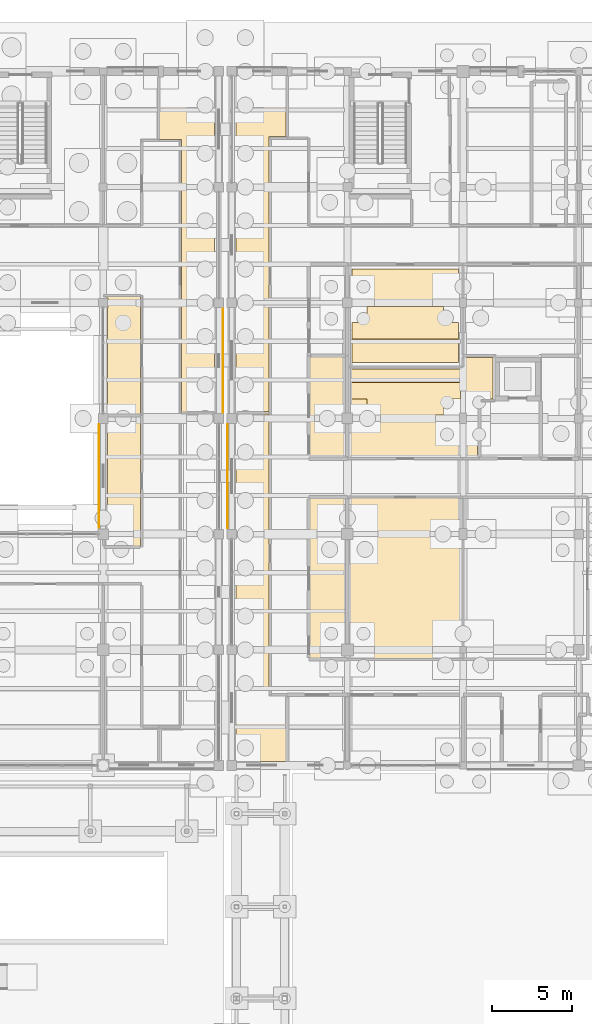
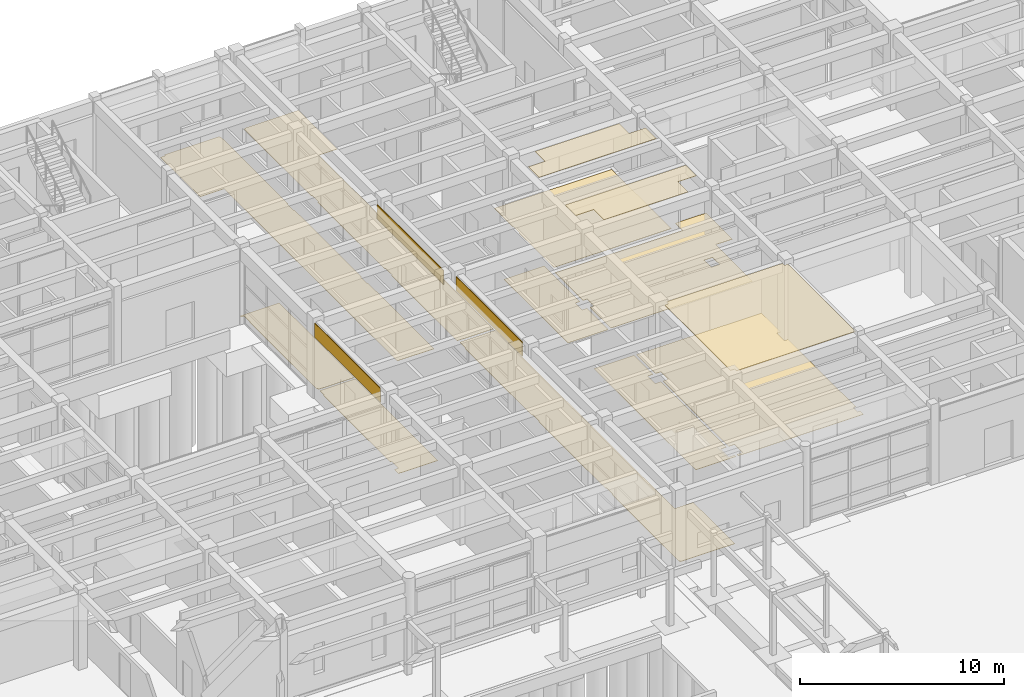
# One storey, part 136 of 143: 16 coverings.
"""IFC4 building model written with IfcOpenShell, lengths in metres."""

from ifc_helpers import new_model, si_unit, direction, frame, origin, origin_2d, place, context, subcontext, project, spatial, polyline, rectangle, outline, extrude, material, layer, layer_set, type_object, element, save


model = new_model("IFC4")

# Units and contexts
model_context = context("Model", 3, precision=1e-05, world=origin(), true_north=direction((0.0, 1.0)))
body_context = subcontext(model_context, "Body", "Model", "MODEL_VIEW")
ifc_project = project(units=[si_unit("LENGTHUNIT", "METRE"), si_unit("AREAUNIT", "SQUARE_METRE"), si_unit("VOLUMEUNIT", "CUBIC_METRE"), si_unit("PLANEANGLEUNIT", "RADIAN"), si_unit("MASSUNIT", "GRAM", prefix="KILO")], contexts=[model_context])

# Site, building, storey
site_placement = place(None, origin())
site = spatial("IfcSite", under=ifc_project, at=site_placement, CompositionType="ELEMENT")
building_placement = place(site_placement, origin())
building = spatial("IfcBuilding", under=site, at=building_placement, Name="Steenspoor Specialist Clinic", CompositionType="ELEMENT")
storey_placement = place(building_placement, origin())
storey = spatial("IfcBuildingStorey", under=building, at=storey_placement, Name="L00", CompositionType="ELEMENT", Elevation=0.0)

# Coverings
ifc_material_1 = material(Name="Washable acoustic mineral ceiling board", Category="gypsum")
ifc_layer_1 = layer(ifc_material_1, 0.02490234375)
ifc_layer_set_1 = layer_set([ifc_layer_1], Name="Washable acoustic mineral ceiling board")
covering_type_1 = type_object("IfcCoveringType", Name="COV-CEIL-ACOUSTIC", PredefinedType="CEILING", material=ifc_layer_set_1)
covering_1_placement = place(storey_placement, frame((0.0, 0.0, 4.4951171875)))
element("IfcCovering", 1, at=covering_1_placement, inside=storey, type_object=covering_type_1, Name="Acoustic Clinical Ceiling 085", PredefinedType="CEILING", context=body_context, shape_type="SweptSolid", body=[
    extrude(outline(polyline([(132.3349609375, 72.56494140625), (132.205078125, 72.56494140625), (132.205078125, 72.570068359375), (125.590087890625, 72.570068359375), (125.590087890625, 72.739990234375), (125.3701171875, 72.739990234375), (125.3701171875, 79.18505859375), (125.56494140625, 79.18505859375), (125.56494140625, 79.3798828125), (132.135009765625, 79.3798828125), (132.135009765625, 79.18505859375), (132.3349609375, 79.18505859375), (132.3349609375, 72.56494140625)])), origin(), (0.0, 0.0, 1.0), 0.02490234375),
])
covering_2_placement = place(storey_placement, frame((0.0, 0.0, 4.4951171875)))
element("IfcCovering", 2, at=covering_2_placement, inside=storey, type_object=covering_type_1, Name="Acoustic Clinical Ceiling 087", PredefinedType="CEILING", context=body_context, shape_type="SweptSolid", body=[
    extrude(outline(polyline([(132.22998046875, 87.969970703125), (131.179931640625, 87.969970703125), (131.179931640625, 86.969970703125), (126.419921875, 86.969970703125), (126.419921875, 87.969970703125), (125.419921875, 87.969970703125), (125.419921875, 89.0), (132.22998046875, 89.0), (132.22998046875, 87.969970703125)])), origin(), (0.0, 0.0, 1.0), 0.02490234375),
])
covering_3_placement = place(storey_placement, frame((0.0, 0.0, 4.4951171875)))
element("IfcCovering", 3, at=covering_3_placement, inside=storey, type_object=covering_type_1, Name="Acoustic Clinical Ceiling 093", PredefinedType="CEILING", context=body_context, shape_type="SweptSolid", body=[
    extrude(outline(polyline([(125.485107421875, 92.72998046875), (126.419921875, 92.72998046875), (126.419921875, 93.705078125), (131.179931640625, 93.705078125), (131.179931640625, 92.72998046875), (132.114990234375, 92.72998046875), (132.114990234375, 91.68994140625), (125.485107421875, 91.68994140625), (125.485107421875, 92.72998046875)])), origin(), (0.0, 0.0, 1.0), 0.02490234375),
])
ifc_material_2 = material(Name="Glazed ceramic relief spandrel cladding", Category="masonry")
ifc_layer_2 = layer(ifc_material_2, 0.034912109375)
ifc_layer_set_2 = layer_set([ifc_layer_2], Name="Glazed ceramic relief spandrel cladding")
covering_type_2 = type_object("IfcCoveringType", Name="COV-CLAD-CERAMIC", PredefinedType="CLADDING", material=ifc_layer_set_2)
covering_4_placement = place(storey_placement, frame((117.449951171875, 90.35009765625, 3.71484375), z_axis=(0.0, 0.0, 1.0), x_axis=(0.0, -1.0, 0.0)))
element("IfcCovering", 4, at=covering_4_placement, inside=storey, type_object=covering_type_2, Name="Spandrel Cladding 27", PredefinedType="CLADDING", context=body_context, shape_type="SweptSolid", body=[
    extrude(rectangle(XDim=6.47998046875, YDim=0.0400390625, at=origin_2d()), origin(), (0.0, 0.0, 1.0), 0.840087890625),
])
covering_5_placement = place(storey_placement, frame((109.75, 83.16259765625, 3.71484375), z_axis=(0.0, 0.0, 1.0), x_axis=(0.0, 1.0, 0.0)))
element("IfcCovering", 5, at=covering_5_placement, inside=storey, type_object=covering_type_2, Name="Spandrel Cladding 29", PredefinedType="CLADDING", context=body_context, shape_type="SweptSolid", body=[
    extrude(rectangle(XDim=6.455078125, YDim=0.0400390625, at=origin_2d()), origin(), (0.0, 0.0, 1.0), 0.840087890625),
])
covering_6_placement = place(storey_placement, frame((117.75, 83.14990234375, 3.68505859375), z_axis=(0.0, 0.0, 1.0), x_axis=(0.0, 1.0, 0.0)))
element("IfcCovering", 6, at=covering_6_placement, inside=storey, type_object=covering_type_2, Name="Spandrel Cladding 80", PredefinedType="CLADDING", context=body_context, shape_type="SweptSolid", body=[
    extrude(rectangle(XDim=6.47998046875, YDim=0.0400390625, at=origin_2d()), origin(), (0.0, 0.0, 1.0), 0.840087890625),
])
ifc_material_3 = material(Name="Seamless clinical vinyl and terrazzo flooring", Category="plastic")
ifc_layer_3 = layer(ifc_material_3, 0.02001953125)
ifc_layer_set_3 = layer_set([ifc_layer_3], Name="Seamless clinical vinyl and terrazzo flooring")
covering_type_3 = type_object("IfcCoveringType", Name="COV-FLOOR-VINYL", PredefinedType="FLOORING", material=ifc_layer_set_3)
covering_7_placement = place(storey_placement, origin())
element("IfcCovering", 7, at=covering_7_placement, inside=storey, type_object=covering_type_3, Name="Clinical Vinyl Flooring 93", PredefinedType="FLOORING", context=body_context, shape_type="SweptSolid", body=[
    extrude(outline(polyline([(112.3349609375, 78.81494140625), (110.10498046875, 78.81494140625), (110.10498046875, 79.2099609375), (110.340087890625, 79.2099609375), (110.340087890625, 79.889892578125), (110.260009765625, 79.889892578125), (110.260009765625, 86.43505859375), (110.31494140625, 86.43505859375), (110.31494140625, 86.860107421875), (112.3349609375, 86.860107421875), (112.3349609375, 78.81494140625)])), origin(), (0.0, 0.0, 1.0), 0.02001953125),
])
covering_8_placement = place(storey_placement, origin())
element("IfcCovering", 8, at=covering_8_placement, inside=storey, type_object=covering_type_3, Name="Clinical Vinyl Flooring 95", PredefinedType="FLOORING", context=body_context, shape_type="SweptSolid", body=[
    extrude(outline(polyline([(110.31494140625, 86.989990234375), (110.31494140625, 87.06494140625), (110.260009765625, 87.06494140625), (110.260009765625, 93.659912109375), (110.2900390625, 93.659912109375), (110.2900390625, 94.239990234375), (110.10498046875, 94.239990234375), (110.10498046875, 94.3349609375), (112.3349609375, 94.3349609375), (112.3349609375, 86.989990234375), (110.31494140625, 86.989990234375)])), origin(), (0.0, 0.0, 1.0), 0.02001953125),
])
covering_9_placement = place(storey_placement, origin())
element("IfcCovering", 9, at=covering_9_placement, inside=storey, type_object=covering_type_3, Name="Clinical Vinyl Flooring 97", PredefinedType="FLOORING", context=body_context, shape_type="SweptSolid", body=[
    extrude(outline(polyline([(113.514892578125, 104.114990234375), (113.514892578125, 107.9951171875), (113.784912109375, 107.9951171875), (113.784912109375, 108.090087890625), (116.885009765625, 108.090087890625), (116.885009765625, 108.034912109375), (116.93994140625, 108.034912109375), (116.93994140625, 101.465087890625), (116.885009765625, 101.465087890625), (116.885009765625, 100.8349609375), (116.93994140625, 100.8349609375), (116.93994140625, 94.264892578125), (116.885009765625, 94.264892578125), (116.885009765625, 93.635009765625), (116.93994140625, 93.635009765625), (116.93994140625, 87.1650390625), (114.864990234375, 87.1650390625), (114.864990234375, 104.114990234375), (113.514892578125, 104.114990234375)])), origin(), (0.0, 0.0, 1.0), 0.02001953125),
])
covering_10_placement = place(storey_placement, origin())
element("IfcCovering", 10, at=covering_10_placement, inside=storey, type_object=covering_type_3, Name="Clinical Vinyl Flooring 116", PredefinedType="FLOORING", context=body_context, shape_type="SweptSolid", body=[
    extrude(outline(polyline([(118.31494140625, 65.409912109375), (118.31494140625, 65.465087890625), (118.260009765625, 65.465087890625), (118.260009765625, 72.034912109375), (118.31494140625, 72.034912109375), (118.31494140625, 72.6650390625), (118.260009765625, 72.6650390625), (118.260009765625, 79.235107421875), (118.31494140625, 79.235107421875), (118.31494140625, 79.864990234375), (118.260009765625, 79.864990234375), (118.260009765625, 86.43505859375), (118.31494140625, 86.43505859375), (118.31494140625, 87.02001953125), (120.320068359375, 87.02001953125), (120.320068359375, 69.469970703125), (121.3701171875, 69.469970703125), (121.3701171875, 65.409912109375), (118.31494140625, 65.409912109375)])), origin(), (0.0, 0.0, 1.0), 0.02001953125),
])
covering_11_placement = place(storey_placement, origin())
element("IfcCovering", 11, at=covering_11_placement, inside=storey, type_object=covering_type_3, Name="Clinical Vinyl Flooring 120", PredefinedType="FLOORING", context=body_context, shape_type="SweptSolid", body=[
    extrude(outline(polyline([(125.135009765625, 79.9150390625), (124.8349609375, 79.9150390625), (124.8349609375, 79.18505859375), (125.135009765625, 79.18505859375), (125.135009765625, 72.739990234375), (124.81005859375, 72.739990234375), (124.81005859375, 71.9599609375), (125.135009765625, 71.9599609375), (125.135009765625, 71.81494140625), (122.864990234375, 71.81494140625), (122.864990234375, 81.784912109375), (125.135009765625, 81.784912109375), (125.135009765625, 79.9150390625)])), origin(), (0.0, 0.0, 1.0), 0.02001953125),
])
covering_12_placement = place(storey_placement, origin())
element("IfcCovering", 12, at=covering_12_placement, inside=storey, type_object=covering_type_3, Name="Clinical Vinyl Flooring 121", PredefinedType="FLOORING", context=body_context, shape_type="SweptSolid", body=[
    extrude(outline(polyline([(132.3349609375, 79.9150390625), (132.135009765625, 79.9150390625), (132.135009765625, 79.18505859375), (132.3349609375, 79.18505859375), (132.3349609375, 72.56494140625), (132.18505859375, 72.56494140625), (132.18505859375, 72.135009765625), (132.3349609375, 72.135009765625), (132.3349609375, 71.81494140625), (125.264892578125, 71.81494140625), (125.264892578125, 71.9599609375), (125.590087890625, 71.9599609375), (125.590087890625, 72.739990234375), (125.264892578125, 72.739990234375), (125.264892578125, 79.18505859375), (125.56494140625, 79.18505859375), (125.56494140625, 79.9150390625), (125.264892578125, 79.9150390625), (125.264892578125, 81.784912109375), (132.3349609375, 81.784912109375), (132.3349609375, 79.9150390625)])), origin(), (0.0, 0.0, 1.0), 0.02001953125),
])
covering_13_placement = place(storey_placement, origin())
element("IfcCovering", 13, at=covering_13_placement, inside=storey, type_object=covering_type_3, Name="Clinical Vinyl Flooring 123", PredefinedType="FLOORING", context=body_context, shape_type="SweptSolid", body=[
    extrude(outline(polyline([(122.864990234375, 84.31494140625), (122.864990234375, 90.5849609375), (125.135009765625, 90.5849609375), (125.135009765625, 87.090087890625), (124.860107421875, 87.090087890625), (124.860107421875, 86.409912109375), (125.135009765625, 86.409912109375), (125.135009765625, 84.31494140625), (122.864990234375, 84.31494140625)])), origin(), (0.0, 0.0, 1.0), 0.02001953125),
])
covering_14_placement = place(storey_placement, origin())
element("IfcCovering", 14, at=covering_14_placement, inside=storey, type_object=covering_type_3, Name="Clinical Vinyl Flooring 124", PredefinedType="FLOORING", context=body_context, shape_type="SweptSolid", body=[
    extrude(outline(polyline([(132.514892578125, 89.8349609375), (132.514892578125, 90.534912109375), (134.260009765625, 90.534912109375), (134.260009765625, 87.965087890625), (133.31005859375, 87.965087890625), (133.31005859375, 84.364990234375), (125.31494140625, 84.364990234375), (125.31494140625, 86.409912109375), (125.5400390625, 86.409912109375), (125.5400390625, 87.090087890625), (125.31494140625, 87.090087890625), (125.31494140625, 89.8349609375), (132.514892578125, 89.8349609375)]), holes=[polyline([(132.639892578125, 87.090087890625), (132.159912109375, 87.090087890625), (132.159912109375, 86.409912109375), (132.639892578125, 86.409912109375), (132.639892578125, 87.090087890625)])]), origin(), (0.0, 0.0, 1.0), 0.02001953125),
])
covering_15_placement = place(storey_placement, origin())
element("IfcCovering", 15, at=covering_15_placement, inside=storey, type_object=covering_type_3, Name="Clinical Vinyl Flooring 129", PredefinedType="FLOORING", context=body_context, shape_type="SweptSolid", body=[
    extrude(outline(polyline([(120.31494140625, 87.18505859375), (118.260009765625, 87.18505859375), (118.260009765625, 93.635009765625), (118.31494140625, 93.635009765625), (118.31494140625, 94.264892578125), (118.260009765625, 94.264892578125), (118.260009765625, 100.8349609375), (118.31494140625, 100.8349609375), (118.31494140625, 101.465087890625), (118.260009765625, 101.465087890625), (118.260009765625, 108.034912109375), (118.31494140625, 108.034912109375), (118.31494140625, 108.090087890625), (121.364990234375, 108.090087890625), (121.364990234375, 104.284912109375), (120.31494140625, 104.284912109375), (120.31494140625, 87.18505859375)])), origin(), (0.0, 0.0, 1.0), 0.02001953125),
])
covering_16_placement = place(storey_placement, origin())
element("IfcCovering", 16, at=covering_16_placement, inside=storey, type_object=covering_type_3, Name="Clinical Vinyl Flooring 130", PredefinedType="FLOORING", context=body_context, shape_type="SweptSolid", body=[
    extrude(outline(polyline([(125.485107421875, 90.235107421875), (125.485107421875, 93.635009765625), (125.514892578125, 93.635009765625), (125.514892578125, 94.264892578125), (125.485107421875, 94.264892578125), (125.485107421875, 96.06494140625), (132.114990234375, 96.06494140625), (132.114990234375, 90.235107421875), (125.485107421875, 90.235107421875)])), origin(), (0.0, 0.0, 1.0), 0.02001953125),
])

save(model, "model.ifc")
